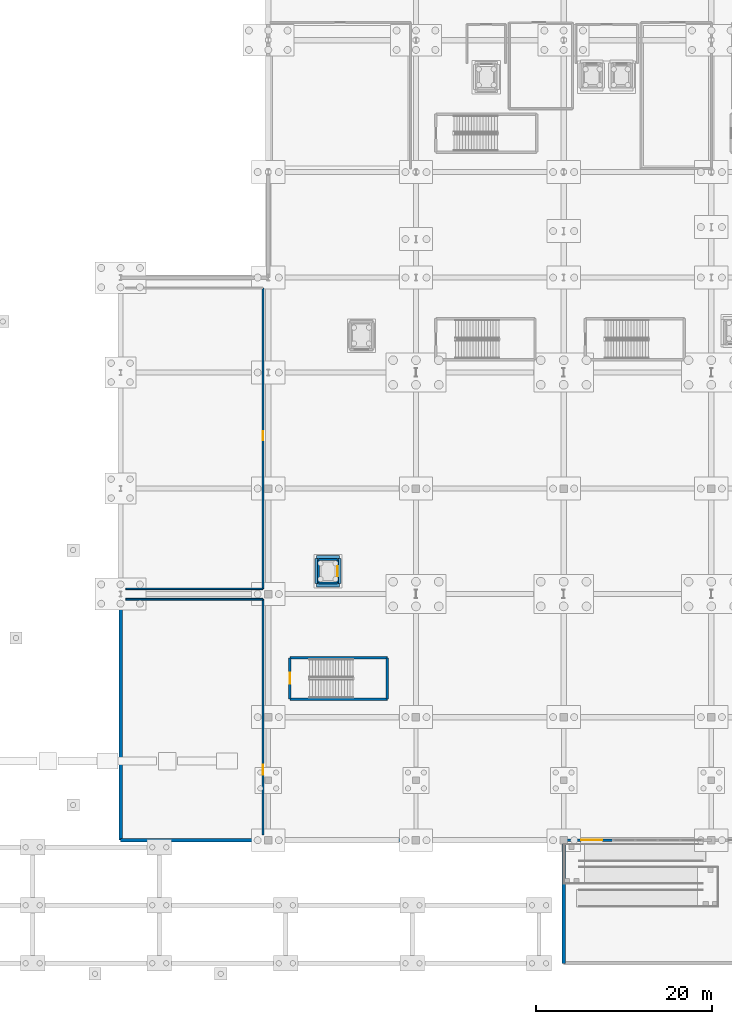
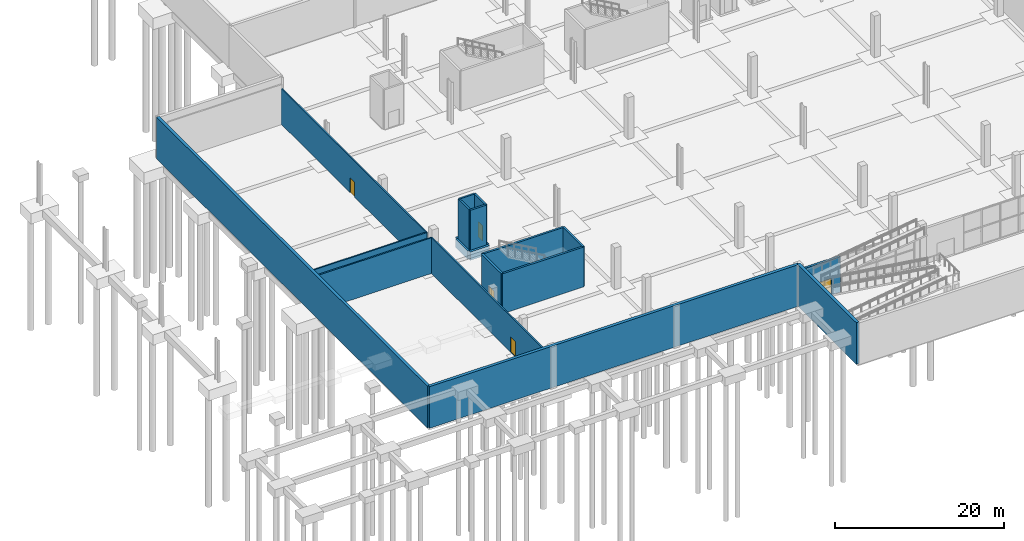
# One storey, part 25 of 46: 20 walls, 5 doors, 5 openings.
"""IFC4 building model written with IfcOpenShell, lengths in metres."""

from ifc_helpers import new_model, si_unit, direction, frame, frame_2d, origin, place, context, subcontext, project, spatial, rectangle, extrude, material, layer, layer_set, type_object, element, fill, save


model = new_model("IFC4")

# Units and contexts
model_context = context("Model", 3, precision=1e-05, world=origin(), true_north=direction((0.0, 1.0)))
body_context = subcontext(model_context, "Body", "Model", "MODEL_VIEW")
ifc_project = project(units=[si_unit("LENGTHUNIT", "METRE"), si_unit("AREAUNIT", "SQUARE_METRE"), si_unit("VOLUMEUNIT", "CUBIC_METRE"), si_unit("PLANEANGLEUNIT", "RADIAN"), si_unit("MASSUNIT", "GRAM", prefix="KILO")], contexts=[model_context])

# Site, building, storey
site_placement = place(None, origin())
site = spatial("IfcSite", under=ifc_project, at=site_placement, CompositionType="ELEMENT")
building_placement = place(site_placement, origin())
building = spatial("IfcBuilding", under=site, at=building_placement, Name="Kimbaza Rail Terminus", CompositionType="ELEMENT")
storey_placement = place(building_placement, frame((0.0, 0.0, -6.0)))
storey = spatial("IfcBuildingStorey", under=building, at=storey_placement, Name="B1", CompositionType="ELEMENT", Elevation=-6.0)

# Wall, opening, door
ifc_material_1 = material(Name="Precast concrete C40/50", Category="concrete")
ifc_layer_1 = layer(ifc_material_1, 0.320068359375)
ifc_layer_set_1 = layer_set([ifc_layer_1], Name="Precast concrete C40/50")
wall_type_1 = type_object("IfcWallType", Name="ARC-WL-EXT320", PredefinedType="STANDARD", material=ifc_layer_set_1)
wall_1_placement = place(storey_placement, frame((89.0, 27.0, 0.0), z_axis=(0.0, 0.0, 1.0), x_axis=(1.0, 0.0, 0.0)))
wall_1 = element("IfcWall", 1, at=wall_1_placement, inside=storey, type_object=wall_type_1, Name="Metro Plaza Portal 1", PredefinedType="STANDARD", context=body_context, shape_type="SweptSolid", body=[
    extrude(rectangle(XDim=5.39990234375, YDim=0.320068359375, at=frame_2d((2.699951171875, 0.0))), origin(), (0.0, 0.0, 1.0), 5.10009765625),
])
opening_1_placement = place(wall_1_placement, frame((4.199951171875, 0.0, 0.0), z_axis=(0.0, 0.0, 1.0), x_axis=(-1.0, 0.0, 0.0)))
opening_1 = element("IfcOpeningElement", 2, at=opening_1_placement, cuts=wall_1, Name="Opening D-EX1", PredefinedType="OPENING", context=body_context, shape_type="SweptSolid", body=[
    extrude(rectangle(XDim=2.39990234375, YDim=2.39990234375, at=frame_2d((1.199951171875, 1.199951171875))), frame((0.0, 0.169921875, 0.0), z_axis=(0.0, -1.0, 0.0), x_axis=(1.0, 0.0, 0.0)), (0.0, 0.0, 1.0), 0.340087890625),
])
ifc_material_2 = material(Name="Anodised aluminium and toughened safety glass", Category="aluminium")
door_type_1 = type_object("IfcDoorType", Name="ARC-DR-EX240", OperationType="NOTDEFINED", PredefinedType="DOOR", material=ifc_material_2)
door_1_placement = place(opening_1_placement, origin())
door_1 = element("IfcDoor", 3, at=door_1_placement, inside=storey, type_object=door_type_1, Name="DR-B1PLZ-1", OperationType="SINGLE_SWING_RIGHT", OverallHeight=2.39990234375, OverallWidth=2.39990234375, PredefinedType="DOOR", context=body_context, shape_type="SweptSolid", body=[
    extrude(rectangle(XDim=2.39990234375, YDim=2.39990234375, at=frame_2d((1.199951171875, 1.199951171875))), frame((0.0, 0.02490234375, 0.0), z_axis=(0.0, -1.0, 0.0), x_axis=(1.0, 0.0, 0.0)), (0.0, 0.0, 1.0), 0.050048828125),
])
fill(opening_1, door_1)

# Wall
ifc_material_3 = material(Name="Concrete blockwork C30/37", Category="masonry")
ifc_layer_2 = layer(ifc_material_3, 0.179931640625)
ifc_layer_set_2 = layer_set([ifc_layer_2], Name="Concrete blockwork C30/37")
wall_type_2 = type_object("IfcWallType", Name="ARC-WL-FIRE180", PredefinedType="PARTITIONING", material=ifc_layer_set_2)
wall_2_placement = place(storey_placement, frame((39.0, 55.60009765625, 0.0), z_axis=(0.0, 0.0, 1.0), x_axis=(1.0, 0.0, 0.0)))
element("IfcWall", 4, at=wall_2_placement, inside=storey, type_object=wall_type_2, Name="Tunnel Ventilation Fan Plant West Partition (south)", PredefinedType="PARTITIONING", context=body_context, shape_type="SweptSolid", body=[
    extrude(rectangle(XDim=15.60009765625, YDim=0.179931640625, at=frame_2d((7.800048828125, 0.0))), origin(), (0.0, 0.0, 1.0), 5.14501953125),
])

# Wall, opening, door
wall_3_placement = place(storey_placement, frame((54.60009765625, 55.60009765625, 0.0), z_axis=(0.0, 0.0, 1.0), x_axis=(0.0, 1.0, 0.0)))
wall_3 = element("IfcWall", 5, at=wall_3_placement, inside=storey, type_object=wall_type_2, Name="Tunnel Ventilation Fan Plant West Partition (east)", PredefinedType="PARTITIONING", context=body_context, shape_type="SweptSolid", body=[
    extrude(rectangle(XDim=34.199951171875, YDim=0.179931640625, at=frame_2d((17.10009765625, 0.0))), origin(), (0.0, 0.0, 1.0), 5.14501953125),
])
opening_2_placement = place(wall_3_placement, frame((17.925048828125, 0.0, 0.0), z_axis=(0.0, 0.0, 1.0), x_axis=(-1.0, 0.0, 0.0)))
opening_2 = element("IfcOpeningElement", 6, at=opening_2_placement, cuts=wall_3, Name="Opening FD-04", PredefinedType="OPENING", context=body_context, shape_type="SweptSolid", body=[
    extrude(rectangle(XDim=1.050048828125, YDim=2.14990234375, at=frame_2d((0.52490234375, 1.074951171875))), frame((0.0, 0.099853515625, 0.0), z_axis=(0.0, -1.0, 0.0), x_axis=(1.0, 0.0, 0.0)), (0.0, 0.0, 1.0), 0.199951171875),
])
ifc_material_4 = material(Name="Plant room steel fire door", Category="steel")
door_type_2 = type_object("IfcDoorType", Name="ARC-DR-FD105", OperationType="NOTDEFINED", PredefinedType="DOOR", material=ifc_material_4)
door_2_placement = place(opening_2_placement, origin())
door_2 = element("IfcDoor", 7, at=door_2_placement, inside=storey, type_object=door_type_2, Name="IDR-SPC-B1-VENTW", OperationType="SINGLE_SWING_LEFT", OverallHeight=2.14990234375, OverallWidth=1.050048828125, PredefinedType="DOOR", context=body_context, shape_type="SweptSolid", body=[
    extrude(rectangle(XDim=1.050048828125, YDim=2.14990234375, at=frame_2d((0.52490234375, 1.074951171875))), frame((0.0, 0.02490234375, 0.0), z_axis=(0.0, -1.0, 0.0), x_axis=(1.0, 0.0, 0.0)), (0.0, 0.0, 1.0), 0.050048828125),
])
fill(opening_2, door_2)

ifc_material_5 = material(Name="Concrete blockwork C30/37", Category="masonry")
ifc_layer_3 = layer(ifc_material_5, 0.199951171875)
ifc_layer_set_3 = layer_set([ifc_layer_3], Name="Concrete blockwork C30/37")
wall_type_3 = type_object("IfcWallType", Name="ARC-WL-FIRE200", PredefinedType="PARTITIONING", material=ifc_layer_set_3)
wall_4_placement = place(storey_placement, frame((54.60009765625, 27.60009765625, 0.0), z_axis=(0.0, 0.0, 1.0), x_axis=(0.0, 1.0, 0.0)))
wall_4 = element("IfcWall", 8, at=wall_4_placement, inside=storey, type_object=wall_type_3, Name="Rainwater Harvesting Cistern Plant Partition (east)", PredefinedType="PARTITIONING", context=body_context, shape_type="SweptSolid", body=[
    extrude(rectangle(XDim=26.7998046875, YDim=0.199951171875, at=frame_2d((13.39990234375, 0.0))), origin(), (0.0, 0.0, 1.0), 5.14501953125),
])
opening_3_placement = place(wall_4_placement, frame((6.824951171875, 0.0, 0.0)))
opening_3 = element("IfcOpeningElement", 9, at=opening_3_placement, cuts=wall_4, Name="Opening FD-03", PredefinedType="OPENING", context=body_context, shape_type="SweptSolid", body=[
    extrude(rectangle(XDim=1.14990234375, YDim=2.199951171875, at=frame_2d((0.574951171875, 1.10009765625))), frame((0.0, 0.10986328125, 0.0), z_axis=(0.0, -1.0, 0.0), x_axis=(1.0, 0.0, 0.0)), (0.0, 0.0, 1.0), 0.219970703125),
])
ifc_material_6 = material(Name="Firefighting lobby self-closing steel door", Category="steel")
door_type_3 = type_object("IfcDoorType", Name="ARC-DR-FD115", OperationType="NOTDEFINED", PredefinedType="DOOR", material=ifc_material_6)
door_3_placement = place(opening_3_placement, origin())
door_3 = element("IfcDoor", 10, at=door_3_placement, inside=storey, type_object=door_type_3, Name="IDR-SPC-B1-RAIN", OperationType="SINGLE_SWING_RIGHT", OverallHeight=2.199951171875, OverallWidth=1.14990234375, PredefinedType="DOOR", context=body_context, shape_type="SweptSolid", body=[
    extrude(rectangle(XDim=1.14990234375, YDim=2.199951171875, at=frame_2d((0.574951171875, 1.10009765625))), frame((0.0, 0.02490234375, 0.0), z_axis=(0.0, -1.0, 0.0), x_axis=(1.0, 0.0, 0.0)), (0.0, 0.0, 1.0), 0.050048828125),
])
fill(opening_3, door_3)

# Walls
wall_5_placement = place(storey_placement, frame((54.60009765625, 54.39990234375, 0.0), z_axis=(0.0, 0.0, 1.0), x_axis=(-1.0, 0.0, 0.0)))
element("IfcWall", 11, at=wall_5_placement, inside=storey, type_object=wall_type_3, Name="Rainwater Harvesting Cistern Plant Partition (north)", PredefinedType="PARTITIONING", context=body_context, shape_type="SweptSolid", body=[
    extrude(rectangle(XDim=15.60009765625, YDim=0.199951171875, at=frame_2d((7.800048828125, 0.0))), origin(), (0.0, 0.0, 1.0), 5.14501953125),
])
ifc_material_7 = material(Name="Concrete C40/50", Category="concrete")
ifc_layer_4 = layer(ifc_material_7, 0.25)
ifc_layer_set_4 = layer_set([ifc_layer_4], Name="Concrete C40/50")
wall_type_4 = type_object("IfcWallType", Name="STR-WL-CORE250", PredefinedType="SHEAR", material=ifc_layer_set_4)
wall_6_placement = place(storey_placement, frame((60.919921875, 56.27001953125, 0.0), z_axis=(0.0, 0.0, 1.0), x_axis=(1.0, 0.0, 0.0)))
element("IfcWall", 12, at=wall_6_placement, inside=storey, type_object=wall_type_4, Name="Lift Shaft Wall LP-05 B1-1", PredefinedType="SHEAR", context=body_context, shape_type="SweptSolid", body=[
    extrude(rectangle(XDim=2.16015625, YDim=0.25, at=frame_2d((1.080078125, 0.0))), origin(), (0.0, 0.0, 1.0), 5.75),
])

# Wall, opening, door
wall_7_placement = place(storey_placement, frame((63.080078125, 56.27001953125, 0.0), z_axis=(0.0, 0.0, 1.0), x_axis=(0.0, 1.0, 0.0)))
wall_7 = element("IfcWall", 13, at=wall_7_placement, inside=storey, type_object=wall_type_4, Name="Lift Shaft Wall LP-05 B1-2", PredefinedType="SHEAR", context=body_context, shape_type="SweptSolid", body=[
    extrude(rectangle(XDim=2.659912109375, YDim=0.25, at=frame_2d((1.330078125, 0.0))), origin(), (0.0, 0.0, 1.0), 5.75),
])
opening_4_placement = place(wall_7_placement, frame((0.780029296875, 0.0, 0.0)))
opening_4 = element("IfcOpeningElement", 14, at=opening_4_placement, cuts=wall_7, Name="Opening LD-01", PredefinedType="OPENING", context=body_context, shape_type="SweptSolid", body=[
    extrude(rectangle(XDim=1.10009765625, YDim=2.199951171875, at=frame_2d((0.550048828125, 1.10009765625))), frame((0.0, 0.135009765625, 0.0), z_axis=(0.0, -1.0, 0.0), x_axis=(1.0, 0.0, 0.0)), (0.0, 0.0, 1.0), 0.27001953125),
])
ifc_material_8 = material(Name="Brushed stainless steel sliding landing door", Category="steel")
door_type_4 = type_object("IfcDoorType", Name="ARC-DR-LD110", OperationType="NOTDEFINED", PredefinedType="DOOR", material=ifc_material_8)
door_4_placement = place(opening_4_placement, origin())
door_4 = element("IfcDoor", 15, at=door_4_placement, inside=storey, type_object=door_type_4, Name="LDR-LP-05-B1", OperationType="SLIDING_TO_LEFT", OverallHeight=2.199951171875, OverallWidth=1.10009765625, PredefinedType="DOOR", context=body_context, shape_type="SweptSolid", body=[
    extrude(rectangle(XDim=1.10009765625, YDim=2.199951171875, at=frame_2d((0.550048828125, 1.10009765625))), frame((0.0, 0.02490234375, 0.0), z_axis=(0.0, -1.0, 0.0), x_axis=(1.0, 0.0, 0.0)), (0.0, 0.0, 1.0), 0.050048828125),
])
fill(opening_4, door_4)

# Walls
wall_8_placement = place(storey_placement, frame((63.080078125, 58.929931640625, 0.0), z_axis=(0.0, 0.0, 1.0), x_axis=(-1.0, 0.0, 0.0)))
element("IfcWall", 16, at=wall_8_placement, inside=storey, type_object=wall_type_4, Name="Lift Shaft Wall LP-05 B1-3", PredefinedType="SHEAR", context=body_context, shape_type="SweptSolid", body=[
    extrude(rectangle(XDim=2.16015625, YDim=0.25, at=frame_2d((1.080078125, 0.0))), origin(), (0.0, 0.0, 1.0), 5.75),
])
wall_9_placement = place(storey_placement, frame((60.919921875, 58.929931640625, 0.0), z_axis=(0.0, 0.0, 1.0), x_axis=(0.0, -1.0, 0.0)))
element("IfcWall", 17, at=wall_9_placement, inside=storey, type_object=wall_type_4, Name="Lift Shaft Wall LP-05 B1-4", PredefinedType="SHEAR", context=body_context, shape_type="SweptSolid", body=[
    extrude(rectangle(XDim=2.659912109375, YDim=0.25, at=frame_2d((1.330078125, 0.0))), origin(), (0.0, 0.0, 1.0), 5.75),
])
ifc_material_9 = material(Name="Concrete C40/50", Category="concrete")
ifc_layer_5 = layer(ifc_material_9, 0.280029296875)
ifc_layer_set_5 = layer_set([ifc_layer_5], Name="Concrete C40/50")
wall_type_5 = type_object("IfcWallType", Name="STR-WL-CORE280", PredefinedType="SHEAR", material=ifc_layer_set_5)
wall_10_placement = place(storey_placement, frame((57.659912109375, 43.06005859375, 0.0), z_axis=(0.0, 0.0, 1.0), x_axis=(1.0, 0.0, 0.0)))
element("IfcWall", 18, at=wall_10_placement, inside=storey, type_object=wall_type_5, Name="South Metro Concourse West Stair Shaft Wall B1-1", PredefinedType="SHEAR", context=body_context, shape_type="SweptSolid", body=[
    extrude(rectangle(XDim=11.080078125, YDim=0.280029296875, at=frame_2d((5.5400390625, 0.0))), origin(), (0.0, 0.0, 1.0), 5.75),
])
wall_11_placement = place(storey_placement, frame((68.739990234375, 43.06005859375, 0.0), z_axis=(0.0, 0.0, 1.0), x_axis=(0.0, 1.0, 0.0)))
element("IfcWall", 19, at=wall_11_placement, inside=storey, type_object=wall_type_5, Name="South Metro Concourse West Stair Shaft Wall B1-2", PredefinedType="SHEAR", context=body_context, shape_type="SweptSolid", body=[
    extrude(rectangle(XDim=4.679931640625, YDim=0.280029296875, at=frame_2d((2.33984375, 0.0))), origin(), (0.0, 0.0, 1.0), 5.75),
])
wall_12_placement = place(storey_placement, frame((68.739990234375, 47.739990234375, 0.0), z_axis=(0.0, 0.0, 1.0), x_axis=(-1.0, 0.0, 0.0)))
element("IfcWall", 20, at=wall_12_placement, inside=storey, type_object=wall_type_5, Name="South Metro Concourse West Stair Shaft Wall B1-3", PredefinedType="SHEAR", context=body_context, shape_type="SweptSolid", body=[
    extrude(rectangle(XDim=11.080078125, YDim=0.280029296875, at=frame_2d((5.5400390625, 0.0))), origin(), (0.0, 0.0, 1.0), 5.75),
])

# Wall, opening, door
wall_13_placement = place(storey_placement, frame((57.659912109375, 47.739990234375, 0.0), z_axis=(0.0, 0.0, 1.0), x_axis=(0.0, -1.0, 0.0)))
wall_13 = element("IfcWall", 21, at=wall_13_placement, inside=storey, type_object=wall_type_5, Name="South Metro Concourse West Stair Shaft Wall B1-4", PredefinedType="SHEAR", context=body_context, shape_type="SweptSolid", body=[
    extrude(rectangle(XDim=4.679931640625, YDim=0.280029296875, at=frame_2d((2.33984375, 0.0))), origin(), (0.0, 0.0, 1.0), 5.75),
])
opening_5_placement = place(wall_13_placement, frame((1.715087890625, 0.0, 0.0)))
opening_5 = element("IfcOpeningElement", 22, at=opening_5_placement, cuts=wall_13, Name="Opening FD-02", PredefinedType="OPENING", context=body_context, shape_type="SweptSolid", body=[
    extrude(rectangle(XDim=1.25, YDim=2.199951171875, at=frame_2d((0.625, 1.10009765625))), frame((0.0, 0.14990234375, 0.0), z_axis=(0.0, -1.0, 0.0), x_axis=(1.0, 0.0, 0.0)), (0.0, 0.0, 1.0), 0.300048828125),
])
ifc_material_10 = material(Name="Galvanised painted steel fire stair door", Category="steel")
door_type_5 = type_object("IfcDoorType", Name="ARC-DR-FD125", OperationType="NOTDEFINED", PredefinedType="DOOR", material=ifc_material_10)
door_5_placement = place(opening_5_placement, origin())
door_5 = element("IfcDoor", 23, at=door_5_placement, inside=storey, type_object=door_type_5, Name="SDR-ST-S1-B1", OperationType="SINGLE_SWING_LEFT", OverallHeight=2.199951171875, OverallWidth=1.25, PredefinedType="DOOR", context=body_context, shape_type="SweptSolid", body=[
    extrude(rectangle(XDim=1.25, YDim=2.199951171875, at=frame_2d((0.625, 1.10009765625))), frame((0.0, 0.02490234375, 0.0), z_axis=(0.0, -1.0, 0.0), x_axis=(1.0, 0.0, 0.0)), (0.0, 0.0, 1.0), 0.050048828125),
])
fill(opening_5, door_5)

# Walls
ifc_material_11 = material(Name="Concrete C40/50", Category="concrete")
ifc_layer_6 = layer(ifc_material_11, 0.35009765625)
ifc_layer_set_6 = layer_set([ifc_layer_6], Name="Concrete C40/50")
wall_type_6 = type_object("IfcWallType", Name="STR-WL-RET350", PredefinedType="SOLIDWALL", material=ifc_layer_set_6)
wall_14_placement = place(storey_placement, frame((60.699951171875, 56.0, -1.199951171875), z_axis=(0.0, 0.0, 1.0), x_axis=(1.0, 0.0, 0.0)))
element("IfcWall", 24, at=wall_14_placement, inside=storey, type_object=wall_type_6, Name="Lift Pit Wall LP-05-1", PredefinedType="SOLIDWALL", context=body_context, shape_type="SweptSolid", body=[
    extrude(rectangle(XDim=2.60009765625, YDim=0.35009765625, at=frame_2d((1.300048828125, 0.0))), origin(), (0.0, 0.0, 1.0), 1.199951171875),
])
wall_15_placement = place(storey_placement, frame((63.300048828125, 56.175048828125, -1.199951171875), z_axis=(0.0, 0.0, 1.0), x_axis=(0.0, 1.0, 0.0)))
element("IfcWall", 25, at=wall_15_placement, inside=storey, type_object=wall_type_6, Name="Lift Pit Wall LP-05-2", PredefinedType="SOLIDWALL", context=body_context, shape_type="SweptSolid", body=[
    extrude(rectangle(XDim=2.849853515625, YDim=0.35009765625, at=frame_2d((1.4248046875, 0.0))), origin(), (0.0, 0.0, 1.0), 1.199951171875),
])
wall_16_placement = place(storey_placement, frame((63.300048828125, 59.199951171875, -1.199951171875), z_axis=(0.0, 0.0, 1.0), x_axis=(-1.0, 0.0, 0.0)))
element("IfcWall", 26, at=wall_16_placement, inside=storey, type_object=wall_type_6, Name="Lift Pit Wall LP-05-3", PredefinedType="SOLIDWALL", context=body_context, shape_type="SweptSolid", body=[
    extrude(rectangle(XDim=2.60009765625, YDim=0.35009765625, at=frame_2d((1.300048828125, 0.0))), origin(), (0.0, 0.0, 1.0), 1.199951171875),
])
wall_17_placement = place(storey_placement, frame((60.699951171875, 59.02490234375, -1.199951171875), z_axis=(0.0, 0.0, 1.0), x_axis=(0.0, -1.0, 0.0)))
element("IfcWall", 27, at=wall_17_placement, inside=storey, type_object=wall_type_6, Name="Lift Pit Wall LP-05-4", PredefinedType="SOLIDWALL", context=body_context, shape_type="SweptSolid", body=[
    extrude(rectangle(XDim=2.849853515625, YDim=0.35009765625, at=frame_2d((1.4248046875, 0.0))), origin(), (0.0, 0.0, 1.0), 1.199951171875),
])
ifc_material_12 = material(Name="Concrete C40/50", Category="concrete")
ifc_layer_7 = layer(ifc_material_12, 0.39990234375)
ifc_layer_set_7 = layer_set([ifc_layer_7], Name="Concrete C40/50")
wall_type_7 = type_object("IfcWallType", Name="STR-WL-RET400", PredefinedType="SOLIDWALL", material=ifc_layer_set_7)
wall_18_placement = place(storey_placement, frame((38.39990234375, 27.0, 0.0), z_axis=(0.0, 0.0, 1.0), x_axis=(1.0, 0.0, 0.0)))
element("IfcWall", 28, at=wall_18_placement, inside=storey, type_object=wall_type_7, Name="Metro Box Retaining Wall 1", PredefinedType="SOLIDWALL", context=body_context, shape_type="SweptSolid", body=[
    extrude(rectangle(XDim=50.400146484375, YDim=0.39990234375, at=frame_2d((25.2001953125, 0.0))), origin(), (0.0, 0.0, 1.0), 6.0),
])
wall_19_placement = place(storey_placement, frame((88.800048828125, 27.0, 0.0), z_axis=(0.0, 0.0, 1.0), x_axis=(0.0, -1.0, 0.0)))
element("IfcWall", 29, at=wall_19_placement, inside=storey, type_object=wall_type_7, Name="Metro Box Retaining Wall 3", PredefinedType="SOLIDWALL", context=body_context, shape_type="SweptSolid", body=[
    extrude(rectangle(XDim=14.0, YDim=0.39990234375, at=frame_2d((7.0, 0.0))), origin(), (0.0, 0.0, 1.0), 6.0),
])
wall_20_placement = place(storey_placement, frame((38.39990234375, 27.0, 0.0), z_axis=(0.0, 0.0, 1.0), x_axis=(0.0, 1.0, 0.0)))
element("IfcWall", 30, at=wall_20_placement, inside=storey, type_object=wall_type_7, Name="Metro Box Retaining Wall 6", PredefinedType="SOLIDWALL", context=body_context, shape_type="SweptSolid", body=[
    extrude(rectangle(XDim=64.0, YDim=0.39990234375, at=frame_2d((32.0, 0.0))), origin(), (0.0, 0.0, 1.0), 6.0),
])

save(model, "model.ifc")
